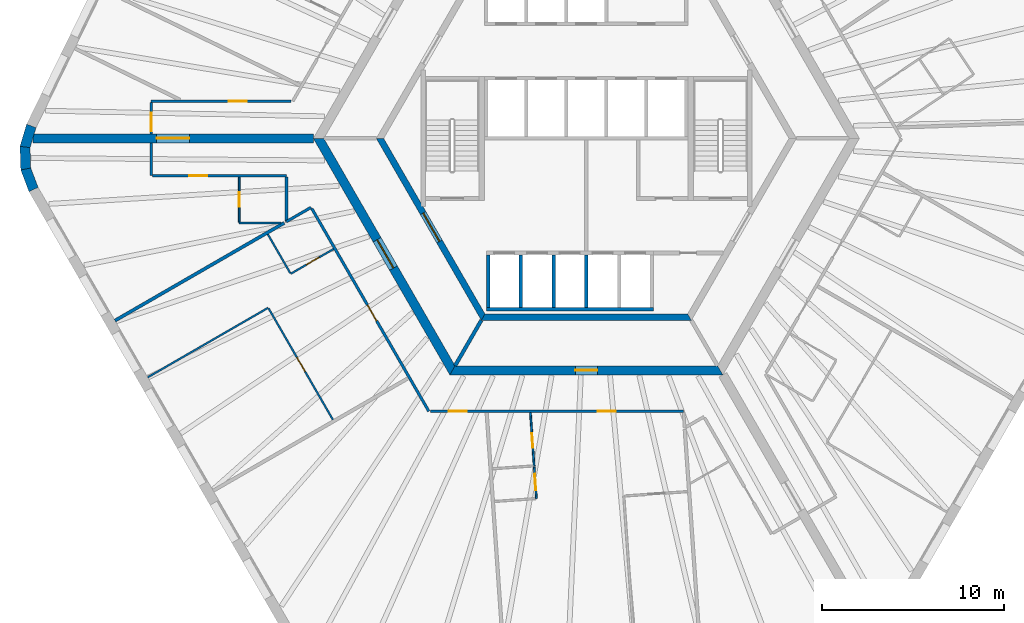
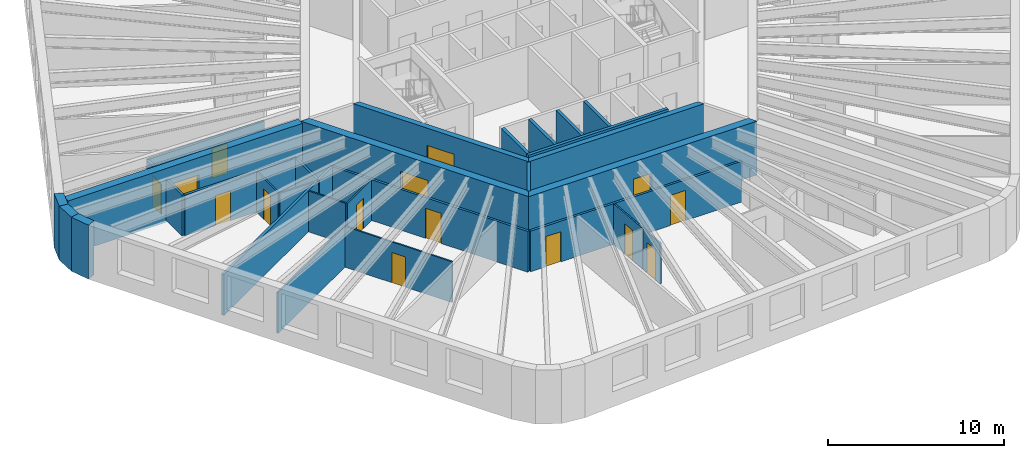
# One storey, part 3 of 10: 31 walls, 15 doors, 15 openings.
"""IFC4 building model written with IfcOpenShell, lengths in metres."""

import ifcopenshell
import ifcopenshell.guid

model = None  # the IFC model being written
_history = None  # IfcOwnerHistory: only IFC2X3 demands one
_inside = {}  # id of a spatial element -> (the spatial element, [elements in it])
_under = {}  # id of a project, library or spatial element -> (it, [spatial elements below it])
_declared = {}  # id of a project -> (the project, [libraries it declares])
_typed = {}  # id of a type object -> (the type object, [elements of that type])
_made_of = {}  # id of a material, layer set ... -> (it, [elements and type objects made of it])


def new_model(schema):
    """Start an empty IFC model of exactly this schema.

    Asked for "IFC4X3", IfcOpenShell would pick the latest addendum, in which some entities
    have other attributes; the version numbers below select the first issue.
    IFC2X3 requires an IfcOwnerHistory on every rooted entity: one is made here for all.
    """
    global model, _history
    if schema == "IFC4X3":
        model = ifcopenshell.file(schema_version=(4, 3, 0, 0))
    else:
        model = ifcopenshell.file(schema=schema)
    _inside.clear()
    _under.clear()
    _declared.clear()
    _typed.clear()
    _made_of.clear()
    _history = None
    if model.schema == "IFC2X3":
        org = make("IfcOrganization", Name="unknown")
        user = make(
            "IfcPersonAndOrganization",
            ThePerson=make("IfcPerson", FamilyName="unknown"),
            TheOrganization=org,
        )
        app = make(
            "IfcApplication",
            ApplicationDeveloper=org,
            Version="unknown",
            ApplicationFullName="unknown",
            ApplicationIdentifier="unknown",
        )
        _history = make(
            "IfcOwnerHistory",
            OwningUser=user,
            OwningApplication=app,
            ChangeAction="ADDED",
            CreationDate=0,
        )
    return model


def make(cls, **values):
    """One entity of the class cls with the attributes given. An attribute that is None is left unset."""
    return model.create_entity(
        cls, **{name: value for name, value in values.items() if value is not None}
    )


def rooted(cls, **values):
    """An entity with a GlobalId (a new one), such as an element, a storey or a relation."""
    return make(cls, GlobalId=ifcopenshell.guid.new(), OwnerHistory=_history, **values)


def si_unit(unit_type, name, prefix=None):
    """IfcSIUnit, for example si_unit("LENGTHUNIT", "METRE", prefix="MILLI")."""
    return make("IfcSIUnit", UnitType=unit_type, Prefix=prefix, Name=name)


def assignment(units):
    """IfcUnitAssignment: the units of a project."""
    return None if units is None else make("IfcUnitAssignment", Units=units)


def point(xyz):
    """IfcCartesianPoint."""
    return None if xyz is None else make("IfcCartesianPoint", Coordinates=xyz)


def direction(xyz):
    """IfcDirection."""
    return None if xyz is None else make("IfcDirection", DirectionRatios=xyz)


def frame(location, z_axis=None, x_axis=None):
    """IfcAxis2Placement3D, a coordinate frame: its origin and axes. An axis left out is left unset."""
    return make(
        "IfcAxis2Placement3D",
        Location=point(location),
        Axis=direction(z_axis),
        RefDirection=direction(x_axis),
    )


def frame_2d(location, x_axis=None):
    """IfcAxis2Placement2D, a coordinate frame in the plane: its origin and x axis."""
    return make(
        "IfcAxis2Placement2D", Location=point(location), RefDirection=direction(x_axis)
    )


def origin():
    """The frame at (0, 0, 0) with its axes left unset."""
    return frame((0.0, 0.0, 0.0))


def place(relative_to, where):
    """IfcLocalPlacement: puts the frame where relative to a parent placement (None: the world)."""
    return make(
        "IfcLocalPlacement", PlacementRelTo=relative_to, RelativePlacement=where
    )


def context(
    kind, dimensions, precision=None, world=None, true_north=None, identifier=None
):
    """IfcGeometricRepresentationContext, for example the 3D "Model" context."""
    return make(
        "IfcGeometricRepresentationContext",
        ContextIdentifier=identifier,
        ContextType=kind,
        CoordinateSpaceDimension=dimensions,
        Precision=precision,
        WorldCoordinateSystem=world,
        TrueNorth=true_north,
    )


def subcontext(parent, identifier, kind, view, scale=None):
    """IfcGeometricRepresentationSubContext, for example "Body" below "Model"."""
    return make(
        "IfcGeometricRepresentationSubContext",
        ContextIdentifier=identifier,
        ContextType=kind,
        ParentContext=parent,
        TargetScale=scale,
        TargetView=view,
    )


def project(units=None, contexts=None):
    """IfcProject with its units and contexts."""
    return rooted(
        "IfcProject",
        Name="project",
        RepresentationContexts=contexts,
        UnitsInContext=assignment(units),
    )


def spatial(cls, under=None, at=None, **own):
    """A site, building, storey or space (cls), placed at a placement, below another one or the project."""
    s = rooted(cls, ObjectPlacement=at, **own)
    if under is not None:
        _under.setdefault(under.id(), (under, []))[1].append(s)
    return s


def polyline(points):
    """IfcPolyline through the points."""
    return make("IfcPolyline", Points=[point(p) for p in points])


def profile(cls, at=None, kind="AREA", **sizes):
    """A parametric profile (cls). Its sizes go by their IFC names, for example OverallWidth=200.0."""
    return make(cls, ProfileType=kind, Position=at, **sizes)


def rectangle(**sizes):
    """IfcRectangleProfileDef."""
    return profile("IfcRectangleProfileDef", **sizes)


def outline(outer, holes=None, kind="AREA"):
    """IfcArbitraryClosedProfileDef: a profile drawn as a closed curve; with holes, ...WithVoids."""
    if holes is None:
        return make("IfcArbitraryClosedProfileDef", ProfileType=kind, OuterCurve=outer)
    return make(
        "IfcArbitraryProfileDefWithVoids",
        ProfileType=kind,
        OuterCurve=outer,
        InnerCurves=holes,
    )


def extrude(swept, where, along, depth):
    """IfcExtrudedAreaSolid: the profile swept, set in the frame where, extruded along a direction by depth."""
    return make(
        "IfcExtrudedAreaSolid",
        SweptArea=swept,
        Position=where,
        ExtrudedDirection=direction(along),
        Depth=depth,
    )


def shape(context_of_items, identifier, shape_type, items):
    """IfcShapeRepresentation: the items that make up one representation, for example the "Body"."""
    return make(
        "IfcShapeRepresentation",
        ContextOfItems=context_of_items,
        RepresentationIdentifier=identifier,
        RepresentationType=shape_type,
        Items=items,
    )


def material(Name=None, Category=None):
    """IfcMaterial."""
    return make("IfcMaterial", Name=Name, Category=Category)


def layer(
    of_material, thickness, ventilated=None, Name=None, Category=None, Priority=None
):
    """IfcMaterialLayer: one layer of a wall or slab, of a material (None: an air gap)."""
    return make(
        "IfcMaterialLayer",
        Material=of_material,
        LayerThickness=thickness,
        IsVentilated=ventilated,
        Name=Name,
        Category=Category,
        Priority=Priority,
    )


def layer_set(layers, Name=None):
    """IfcMaterialLayerSet."""
    return make("IfcMaterialLayerSet", MaterialLayers=layers, LayerSetName=Name)


def made_of(thing, what):
    """Note that an element or type object is made of a material, layer set ...; save() writes the relation."""
    if what is not None:
        _made_of.setdefault(what.id(), (what, []))[1].append(thing)
    return thing


def type_object(cls, material=None, **own):
    """A type object (cls), such as IfcWallType, which elements share."""
    return made_of(rooted(cls, **own), material)


def element(
    cls,
    number,
    at=None,
    inside=None,
    cuts=None,
    type_object=None,
    material=None,
    context=None,
    identifier="Body",
    shape_type=None,
    held_by="IfcProductDefinitionShape",
    body=None,
    shapes=None,
    **own,
):
    """One element of the class cls, such as IfcWall. Its Tag is "e" and its number.

    at: its placement. inside: the storey or other place that contains it. cuts: it is an
    opening in that element (IfcRelVoidsElement). A single representation is given by context,
    identifier, shape_type and body (its items); several are given by shapes. held_by: the class
    of the entity that holds the representations. save() writes the other relations.
    """
    e = rooted(cls, Tag="e%d" % number, ObjectPlacement=at, **own)
    if body is not None:
        shapes = [shape(context, identifier, shape_type, body)]
    if shapes is not None:
        e.Representation = make(held_by, Representations=shapes)
    if inside is not None:
        _inside.setdefault(inside.id(), (inside, []))[1].append(e)
    if cuts is not None:
        rooted(
            "IfcRelVoidsElement", RelatingBuildingElement=cuts, RelatedOpeningElement=e
        )
    if type_object is not None:
        _typed.setdefault(type_object.id(), (type_object, []))[1].append(e)
    return made_of(e, material)


def fill(opening, filler):
    """IfcRelFillsElement: the door or window that sits in an opening."""
    return rooted(
        "IfcRelFillsElement",
        RelatingOpeningElement=opening,
        RelatedBuildingElement=filler,
    )


def aggregate(whole, parts):
    """IfcRelAggregates: a whole, such as a stair, and the parts it consists of."""
    return rooted("IfcRelAggregates", RelatingObject=whole, RelatedObjects=parts)


def save(model, path):
    """Write the relations noted so far, then the file.

    IfcRelAggregates (storeys below a building ...), IfcRelContainedInSpatialStructure (elements
    in a storey), IfcRelDefinesByType, IfcRelAssociatesMaterial and IfcRelDeclares: one each for
    every whole, place, type object, material and project.
    """
    for whole, parts in _under.values():
        aggregate(whole, parts)
    for where, things in _inside.values():
        rooted(
            "IfcRelContainedInSpatialStructure",
            RelatedElements=things,
            RelatingStructure=where,
        )
    for kind, things in _typed.values():
        rooted("IfcRelDefinesByType", RelatedObjects=things, RelatingType=kind)
    for what, things in _made_of.values():
        rooted("IfcRelAssociatesMaterial", RelatedObjects=things, RelatingMaterial=what)
    for by, libraries in _declared.values():
        rooted("IfcRelDeclares", RelatingContext=by, RelatedDefinitions=libraries)
    model.write(path)


model = new_model("IFC4")

# Units and contexts
model_context = context("Model", 3, precision=1e-05, world=origin(), true_north=direction((0.0, 1.0)))
body_context = subcontext(model_context, "Body", "Model", "MODEL_VIEW")
ifc_project = project(units=[si_unit("LENGTHUNIT", "METRE"), si_unit("AREAUNIT", "SQUARE_METRE"), si_unit("VOLUMEUNIT", "CUBIC_METRE"), si_unit("PLANEANGLEUNIT", "RADIAN"), si_unit("MASSUNIT", "GRAM", prefix="KILO")], contexts=[model_context])

# Site, building, storey
site_placement = place(None, origin())
site = spatial("IfcSite", under=ifc_project, at=site_placement, CompositionType="ELEMENT")
building_placement = place(site_placement, origin())
building = spatial("IfcBuilding", under=site, at=building_placement, Name="Tarnside Tower", CompositionType="ELEMENT")
storey_placement = place(building_placement, frame((0.0, 0.0, 246.300048828125)))
storey = spatial("IfcBuildingStorey", under=building, at=storey_placement, Name="L59", CompositionType="ELEMENT", Elevation=246.300048828125)

# Wall
ifc_material_1 = material(Name="Gypsum board partition on steel studs", Category="steel")
ifc_layer_1 = layer(ifc_material_1, 0.10009765625)
ifc_layer_set_1 = layer_set([ifc_layer_1], Name="Bathroom wall 100")
wall_type_1 = type_object("IfcWallType", Name="Bathroom wall 100", PredefinedType="PARTITIONING", material=ifc_layer_set_1)
wall_1_placement = place(storey_placement, frame((-16.79833984375, -4.64990234375, 0.0), z_axis=(0.0, 0.0, 1.0), x_axis=(-1.0, 0.0, 0.0)))
element("IfcWall", 1, at=wall_1_placement, inside=storey, type_object=wall_type_1, Name="Bathroom wall 19075", PredefinedType="PARTITIONING", context=body_context, shape_type="SweptSolid", body=[
    extrude(rectangle(XDim=2.28857421875, YDim=0.10009765625, at=frame_2d((1.144287109375, 0.0))), origin(), (0.0, 0.0, 1.0), 2.837646484375),
])

# Wall, opening, door
wall_2_placement = place(storey_placement, frame((-19.0869140625, -4.60009765625, 0.0), z_axis=(0.0, 0.0, 1.0), x_axis=(0.0, 1.0, 0.0)))
wall_2 = element("IfcWall", 2, at=wall_2_placement, inside=storey, type_object=wall_type_1, Name="Bathroom wall 19076", PredefinedType="PARTITIONING", context=body_context, shape_type="SweptSolid", body=[
    extrude(rectangle(XDim=2.47509765625, YDim=0.10009765625, at=frame_2d((1.237548828125, 0.0))), origin(), (0.0, 0.0, 1.0), 2.837646484375),
])
opening_1_placement = place(wall_2_placement, frame((0.85009765625, 0.0, 0.0)))
opening_1 = element("IfcOpeningElement", 3, at=opening_1_placement, cuts=wall_2, Name="Opening D-B1", PredefinedType="OPENING", context=body_context, shape_type="SweptSolid", body=[
    extrude(rectangle(XDim=0.800048828125, YDim=2.10009765625, at=frame_2d((0.39990234375, 1.050048828125))), frame((0.0, 0.06005859375, 0.0), z_axis=(0.0, -1.0, 0.0), x_axis=(1.0, 0.0, 0.0)), (0.0, 0.0, 1.0), 0.1201171875),
])
ifc_material_2 = material(Name="Timber door leaf", Category="wood")
door_type_1 = type_object("IfcDoorType", Name="Bathroom door 800", OperationType="NOTDEFINED", PredefinedType="DOOR", material=ifc_material_2)
door_1_placement = place(opening_1_placement, origin())
door_1 = element("IfcDoor", 4, at=door_1_placement, inside=storey, type_object=door_type_1, Name="Bathroom door 19015", OperationType="SINGLE_SWING_RIGHT", OverallHeight=2.10009765625, OverallWidth=0.800048828125, PredefinedType="DOOR", context=body_context, shape_type="SweptSolid", body=[
    extrude(rectangle(XDim=0.800048828125, YDim=2.10009765625, at=frame_2d((0.39990234375, 1.050048828125))), frame((0.0, 0.02490234375, 0.0), z_axis=(0.0, -1.0, 0.0), x_axis=(1.0, 0.0, 0.0)), (0.0, 0.0, 1.0), 0.050048828125),
])
fill(opening_1, door_1)

wall_3_placement = place(storey_placement, frame((-13.896484375, -6.080810546875, 0.0), z_axis=(0.0, 0.0, 1.0), x_axis=(-0.866012511928, -0.500022328685, 0.0)))
wall_3 = element("IfcWall", 5, at=wall_3_placement, inside=storey, type_object=wall_type_1, Name="Bathroom wall 19079", PredefinedType="PARTITIONING", context=body_context, shape_type="SweptSolid", body=[
    extrude(rectangle(XDim=2.72509765625, YDim=0.10009765625, at=frame_2d((1.362548828125, 0.0))), origin(), (0.0, 0.0, 1.0), 2.837646484375),
])
opening_2_placement = place(wall_3_placement, frame((0.925048828125, 0.0, 0.0)))
opening_2 = element("IfcOpeningElement", 6, at=opening_2_placement, cuts=wall_3, Name="Opening D-B1", PredefinedType="OPENING", context=body_context, shape_type="SweptSolid", body=[
    extrude(rectangle(XDim=0.800048828125, YDim=2.10009765625, at=frame_2d((0.39990234375, 1.050048828125))), frame((0.0, 0.06005859375, 0.0), z_axis=(0.0, -1.0, 0.0), x_axis=(1.0, 0.0, 0.0)), (0.0, 0.0, 1.0), 0.1201171875),
])
door_2_placement = place(opening_2_placement, origin())
door_2 = element("IfcDoor", 7, at=door_2_placement, inside=storey, type_object=door_type_1, Name="Bathroom door 19017", OperationType="SINGLE_SWING_RIGHT", OverallHeight=2.10009765625, OverallWidth=0.800048828125, PredefinedType="DOOR", context=body_context, shape_type="SweptSolid", body=[
    extrude(rectangle(XDim=0.800048828125, YDim=2.10009765625, at=frame_2d((0.39990234375, 1.050048828125))), frame((0.0, 0.02490234375, 0.0), z_axis=(0.0, -1.0, 0.0), x_axis=(1.0, 0.0, 0.0)), (0.0, 0.0, 1.0), 0.050048828125),
])
fill(opening_2, door_2)

# Wall
wall_4_placement = place(storey_placement, frame((-16.28125, -7.39990234375, 0.0), z_axis=(0.0, 0.0, 1.0), x_axis=(-0.500003092839, 0.866023618125, 0.0)))
element("IfcWall", 8, at=wall_4_placement, inside=storey, type_object=wall_type_1, Name="Bathroom wall 19080", PredefinedType="PARTITIONING", context=body_context, shape_type="SweptSolid", body=[
    extrude(rectangle(XDim=2.4599609375, YDim=0.10009765625, at=frame_2d((1.22998046875, 0.0))), origin(), (0.0, 0.0, 1.0), 2.837646484375),
])

# Wall, opening, door
wall_5_placement = place(storey_placement, frame((-3.073974609375, -15.074951171875, 0.0), z_axis=(0.0, 0.0, 1.0), x_axis=(0.069798496539, -0.99756111085, 0.0)))
wall_5 = element("IfcWall", 9, at=wall_5_placement, inside=storey, type_object=wall_type_1, Name="Bathroom wall 19088", PredefinedType="PARTITIONING", context=body_context, shape_type="SweptSolid", body=[
    extrude(rectangle(XDim=2.9345703125, YDim=0.10009765625, at=frame_2d((1.46728515625, 0.0))), origin(), (0.0, 0.0, 1.0), 2.837646484375),
])
opening_3_placement = place(wall_5_placement, frame((1.134521484375, 0.0, 0.0)))
opening_3 = element("IfcOpeningElement", 10, at=opening_3_placement, cuts=wall_5, Name="Opening D-B1", PredefinedType="OPENING", context=body_context, shape_type="SweptSolid", body=[
    extrude(rectangle(XDim=0.800048828125, YDim=2.10009765625, at=frame_2d((0.39990234375, 1.050048828125))), frame((0.0, 0.06005859375, 0.0), z_axis=(0.0, -1.0, 0.0), x_axis=(1.0, 0.0, 0.0)), (0.0, 0.0, 1.0), 0.1201171875),
])
door_3_placement = place(opening_3_placement, origin())
door_3 = element("IfcDoor", 11, at=door_3_placement, inside=storey, type_object=door_type_1, Name="Bathroom door 19021", OperationType="SINGLE_SWING_LEFT", OverallHeight=2.10009765625, OverallWidth=0.800048828125, PredefinedType="DOOR", context=body_context, shape_type="SweptSolid", body=[
    extrude(rectangle(XDim=0.800048828125, YDim=2.10009765625, at=frame_2d((0.39990234375, 1.050048828125))), frame((0.0, 0.02490234375, 0.0), z_axis=(0.0, -1.0, 0.0), x_axis=(1.0, 0.0, 0.0)), (0.0, 0.0, 1.0), 0.050048828125),
])
fill(opening_3, door_3)

ifc_material_3 = material(Name="Concrete C50/60", Category="concrete")
ifc_layer_2 = layer(ifc_material_3, 0.35009765625)
ifc_layer_set_2 = layer_set([ifc_layer_2], Name="Core block wall 350 C50/60")
wall_type_2 = type_object("IfcWallType", Name="Core block wall 350 C50/60", PredefinedType="SHEAR", material=ifc_layer_set_2)
wall_6_placement = place(storey_placement, frame((-11.344970703125, 0.0, -0.150146484375), z_axis=(0.0, 0.0, 1.0), x_axis=(0.499995046907, -0.866028263435, 0.0)))
wall_6 = element("IfcWall", 12, at=wall_6_placement, inside=storey, type_object=wall_type_2, Name="L59 core block wall face 3", PredefinedType="SHEAR", context=body_context, shape_type="SweptSolid", body=[
    extrude(outline(polyline([(-0.10107421875, -0.175048828125), (11.44580078125, -0.175048828125), (11.24365234375, 0.175048828125), (0.10107421875, 0.175048828125), (-0.10107421875, -0.175048828125)])), origin(), (0.0, 0.0, 1.0), 3.75),
])
opening_4_placement = place(wall_6_placement, frame((4.74365234375, 0.0, 0.14990234375)))
opening_4 = element("IfcOpeningElement", 13, at=opening_4_placement, cuts=wall_6, Name="Opening CD-FFL", PredefinedType="OPENING", context=body_context, shape_type="SweptSolid", body=[
    extrude(rectangle(XDim=1.800048828125, YDim=2.39990234375, at=frame_2d((0.89990234375, 1.199951171875))), frame((0.0, 0.18505859375, 0.0), z_axis=(0.0, -1.0, 0.0), x_axis=(1.0, 0.0, 0.0)), (0.0, 0.0, 1.0), 0.3701171875),
])
ifc_material_4 = material(Name="Steel fire door", Category="steel")
door_type_2 = type_object("IfcDoorType", Name="Firefighting lobby double door FD60S 1800x2400", OperationType="NOTDEFINED", PredefinedType="DOOR", material=ifc_material_4)
door_4_placement = place(opening_4_placement, origin())
door_4 = element("IfcDoor", 14, at=door_4_placement, inside=storey, type_object=door_type_2, Name="L59 lobby block door P3", OperationType="DOUBLE_DOOR_SINGLE_SWING", OverallHeight=2.39990234375, OverallWidth=1.800048828125, PredefinedType="DOOR", context=body_context, shape_type="SweptSolid", body=[
    extrude(rectangle(XDim=1.800048828125, YDim=2.39990234375, at=frame_2d((0.89990234375, 1.199951171875))), frame((0.0, 0.02490234375, 0.0), z_axis=(0.0, -1.0, 0.0), x_axis=(1.0, 0.0, 0.0)), (0.0, 0.0, 1.0), 0.050048828125),
])
fill(opening_4, door_4)

# Wall
wall_7_placement = place(storey_placement, frame((-5.672607421875, -9.824951171875, -0.150146484375), z_axis=(0.0, 0.0, 1.0), x_axis=(1.0, 0.0, 0.0)))
element("IfcWall", 15, at=wall_7_placement, inside=storey, type_object=wall_type_2, Name="L59 core block wall face 4", PredefinedType="SHEAR", context=body_context, shape_type="SweptSolid", body=[
    extrude(outline(polyline([(-0.10107421875, -0.175048828125), (11.4462890625, -0.175048828125), (11.244140625, 0.175048828125), (0.10107421875, 0.175048828125), (-0.10107421875, -0.175048828125)])), origin(), (0.0, 0.0, 1.0), 3.75),
])

# Wall, opening, door
ifc_material_5 = material(Name="Concrete C70/85", Category="concrete")
ifc_layer_3 = layer(ifc_material_5, 0.5)
ifc_layer_set_3 = layer_set([ifc_layer_3], Name="Core wall Z2 500 C70/85")
wall_type_3 = type_object("IfcWallType", Name="Core wall Z2 500 C70/85", PredefinedType="SHEAR", material=ifc_layer_set_3)
wall_8_placement = place(storey_placement, frame((-14.722412109375, 0.0, -0.150146484375), z_axis=(0.0, 0.0, 1.0), x_axis=(0.50000571537, -0.866022103989, 0.0)))
wall_8 = element("IfcWall", 16, at=wall_8_placement, inside=storey, type_object=wall_type_3, Name="L59 core wall face 3", PredefinedType="SHEAR", context=body_context, shape_type="SweptSolid", body=[
    extrude(outline(polyline([(-0.144287109375, -0.25), (14.86669921875, -0.25), (14.578125, 0.25), (0.144287109375, 0.25), (-0.144287109375, -0.25)])), origin(), (0.0, 0.0, 1.0), 3.75),
])
opening_5_placement = place(wall_8_placement, frame((6.432373046875, 0.0, 0.14990234375)))
opening_5 = element("IfcOpeningElement", 17, at=opening_5_placement, cuts=wall_8, Name="Opening CD-FFL", PredefinedType="OPENING", context=body_context, shape_type="SweptSolid", body=[
    extrude(rectangle(XDim=1.800048828125, YDim=2.39990234375, at=frame_2d((0.89990234375, 1.199951171875))), frame((0.0, 0.260009765625, 0.0), z_axis=(0.0, -1.0, 0.0), x_axis=(1.0, 0.0, 0.0)), (0.0, 0.0, 1.0), 0.52001953125),
])
door_5_placement = place(opening_5_placement, origin())
door_5 = element("IfcDoor", 18, at=door_5_placement, inside=storey, type_object=door_type_2, Name="L59 core door P3", OperationType="DOUBLE_DOOR_SINGLE_SWING", OverallHeight=2.39990234375, OverallWidth=1.800048828125, PredefinedType="DOOR", context=body_context, shape_type="SweptSolid", body=[
    extrude(rectangle(XDim=1.800048828125, YDim=2.39990234375, at=frame_2d((0.89990234375, 1.199951171875))), frame((0.0, 0.02490234375, 0.0), z_axis=(0.0, -1.0, 0.0), x_axis=(1.0, 0.0, 0.0)), (0.0, 0.0, 1.0), 0.050048828125),
])
fill(opening_5, door_5)

wall_9_placement = place(storey_placement, frame((-7.361083984375, -12.75, -0.150146484375), z_axis=(0.0, 0.0, 1.0), x_axis=(1.0, 0.0, 0.0)))
wall_9 = element("IfcWall", 19, at=wall_9_placement, inside=storey, type_object=wall_type_3, Name="L59 core wall face 4", PredefinedType="SHEAR", context=body_context, shape_type="SweptSolid", body=[
    extrude(outline(polyline([(-0.144287109375, -0.25), (14.866455078125, -0.25), (14.577880859375, 0.25), (0.144287109375, 0.25), (-0.144287109375, -0.25)])), origin(), (0.0, 0.0, 1.0), 3.75),
])
opening_6_placement = place(wall_9_placement, frame((6.76123046875, 0.0, 0.14990234375)))
opening_6 = element("IfcOpeningElement", 20, at=opening_6_placement, cuts=wall_9, Name="Opening CD-RSR", PredefinedType="OPENING", context=body_context, shape_type="SweptSolid", body=[
    extrude(rectangle(XDim=1.199951171875, YDim=2.39990234375, at=frame_2d((0.60009765625, 1.199951171875))), frame((0.0, 0.260009765625, 0.0), z_axis=(0.0, -1.0, 0.0), x_axis=(1.0, 0.0, 0.0)), (0.0, 0.0, 1.0), 0.52001953125),
])
door_type_3 = type_object("IfcDoorType", Name="Riser door FD60 1200x2400", OperationType="NOTDEFINED", PredefinedType="DOOR", material=ifc_material_4)
door_6_placement = place(opening_6_placement, origin())
door_6 = element("IfcDoor", 21, at=door_6_placement, inside=storey, type_object=door_type_3, Name="L59 core door S6", OperationType="SINGLE_SWING_LEFT", OverallHeight=2.39990234375, OverallWidth=1.199951171875, PredefinedType="DOOR", context=body_context, shape_type="SweptSolid", body=[
    extrude(rectangle(XDim=1.199951171875, YDim=2.39990234375, at=frame_2d((0.60009765625, 1.199951171875))), frame((0.0, 0.02490234375, 0.0), z_axis=(0.0, -1.0, 0.0), x_axis=(1.0, 0.0, 0.0)), (0.0, 0.0, 1.0), 0.050048828125),
])
fill(opening_6, door_6)

wall_10_placement = place(storey_placement, frame((-15.010986328125, 0.0, -0.150146484375), z_axis=(0.0, 0.0, 1.0), x_axis=(-1.0, 0.0, 0.0)))
wall_10 = element("IfcWall", 22, at=wall_10_placement, inside=storey, type_object=wall_type_3, Name="L59 spine wall 2", PredefinedType="SHEAR", context=body_context, shape_type="SweptSolid", body=[
    extrude(rectangle(XDim=15.423828125, YDim=0.5, at=frame_2d((7.7119140625, 0.0))), origin(), (0.0, 0.0, 1.0), 3.75),
])
opening_7_placement = place(wall_10_placement, frame((6.811767578125, 0.0, 0.14990234375)))
opening_7 = element("IfcOpeningElement", 23, at=opening_7_placement, cuts=wall_10, Name="Opening CD-SPN", PredefinedType="OPENING", context=body_context, shape_type="SweptSolid", body=[
    extrude(rectangle(XDim=1.800048828125, YDim=2.39990234375, at=frame_2d((0.89990234375, 1.199951171875))), frame((0.0, 0.260009765625, 0.0), z_axis=(0.0, -1.0, 0.0), x_axis=(1.0, 0.0, 0.0)), (0.0, 0.0, 1.0), 0.52001953125),
])
door_type_4 = type_object("IfcDoorType", Name="Spine passage double door FD60 1800x2400", OperationType="NOTDEFINED", PredefinedType="DOOR", material=ifc_material_4)
door_7_placement = place(opening_7_placement, origin())
door_7 = element("IfcDoor", 24, at=door_7_placement, inside=storey, type_object=door_type_4, Name="L59 spine passage door 2", OperationType="DOUBLE_DOOR_SINGLE_SWING", OverallHeight=2.39990234375, OverallWidth=1.800048828125, PredefinedType="DOOR", context=body_context, shape_type="SweptSolid", body=[
    extrude(rectangle(XDim=1.800048828125, YDim=2.39990234375, at=frame_2d((0.89990234375, 1.199951171875))), frame((0.0, 0.02490234375, 0.0), z_axis=(0.0, -1.0, 0.0), x_axis=(1.0, 0.0, 0.0)), (0.0, 0.0, 1.0), 0.050048828125),
])
fill(opening_7, door_7)

ifc_layer_4 = layer(ifc_material_1, 0.14990234375)
ifc_layer_set_4 = layer_set([ifc_layer_4], Name="Corridor wall 150 EI 60")
wall_type_4 = type_object("IfcWallType", Name="Corridor wall 150 EI 60", PredefinedType="PARTITIONING", material=ifc_layer_set_4)
wall_11_placement = place(storey_placement, frame((-16.2236328125, 2.050048828125, 0.0), z_axis=(0.0, 0.0, 1.0), x_axis=(-1.0, 0.0, 0.0)))
wall_11 = element("IfcWall", 25, at=wall_11_placement, inside=storey, type_object=wall_type_4, Name="Corridor wall 19015", PredefinedType="PARTITIONING", context=body_context, shape_type="SweptSolid", body=[
    extrude(rectangle(XDim=7.69921875, YDim=0.14990234375, at=frame_2d((3.849609375, 0.0))), origin(), (0.0, 0.0, 1.0), 2.837646484375),
])
opening_8_placement = place(wall_11_placement, frame((2.4365234375, 0.0, 0.0)))
opening_8 = element("IfcOpeningElement", 26, at=opening_8_placement, cuts=wall_11, Name="Opening D-E1", PredefinedType="OPENING", context=body_context, shape_type="SweptSolid", body=[
    extrude(rectangle(XDim=1.0, YDim=2.10009765625, at=frame_2d((0.5, 1.050048828125))), frame((0.0, 0.0849609375, 0.0), z_axis=(0.0, -1.0, 0.0), x_axis=(1.0, 0.0, 0.0)), (0.0, 0.0, 1.0), 0.169921875),
])
door_type_5 = type_object("IfcDoorType", Name="Unit entrance door 1000 FD30S", OperationType="NOTDEFINED", PredefinedType="DOOR", material=ifc_material_2)
door_8_placement = place(opening_8_placement, origin())
door_8 = element("IfcDoor", 27, at=door_8_placement, inside=storey, type_object=door_type_5, Name="Unit door 19012", OperationType="SINGLE_SWING_RIGHT", OverallHeight=2.10009765625, OverallWidth=1.0, PredefinedType="DOOR", context=body_context, shape_type="SweptSolid", body=[
    extrude(rectangle(XDim=1.0, YDim=2.10009765625, at=frame_2d((0.5, 1.050048828125))), frame((0.0, 0.02490234375, 0.0), z_axis=(0.0, -1.0, 0.0), x_axis=(1.0, 0.0, 0.0)), (0.0, 0.0, 1.0), 0.050048828125),
])
fill(opening_8, door_8)

wall_12_placement = place(storey_placement, frame((-23.9228515625, 1.97509765625, 0.0), z_axis=(0.0, 0.0, 1.0), x_axis=(0.0, -1.0, 0.0)))
wall_12 = element("IfcWall", 28, at=wall_12_placement, inside=storey, type_object=wall_type_4, Name="Corridor wall 19017", PredefinedType="PARTITIONING", context=body_context, shape_type="SweptSolid", body=[
    extrude(rectangle(XDim=1.72509765625, YDim=0.14990234375, at=frame_2d((0.862548828125, 0.0))), origin(), (0.0, 0.0, 1.0), 2.837646484375),
])
opening_9_placement = place(wall_12_placement, frame((0.574951171875, 0.0, 0.0)))
opening_9 = element("IfcOpeningElement", 29, at=opening_9_placement, cuts=wall_12, Name="Opening D-E1", PredefinedType="OPENING", context=body_context, shape_type="SweptSolid", body=[
    extrude(rectangle(XDim=1.0, YDim=2.10009765625, at=frame_2d((0.5, 1.050048828125))), frame((0.0, 0.0849609375, 0.0), z_axis=(0.0, -1.0, 0.0), x_axis=(1.0, 0.0, 0.0)), (0.0, 0.0, 1.0), 0.169921875),
])
door_9_placement = place(opening_9_placement, origin())
door_9 = element("IfcDoor", 30, at=door_9_placement, inside=storey, type_object=door_type_5, Name="Unit door 19013", OperationType="SINGLE_SWING_LEFT", OverallHeight=2.10009765625, OverallWidth=1.0, PredefinedType="DOOR", context=body_context, shape_type="SweptSolid", body=[
    extrude(rectangle(XDim=1.0, YDim=2.10009765625, at=frame_2d((0.5, 1.050048828125))), frame((0.0, 0.02490234375, 0.0), z_axis=(0.0, -1.0, 0.0), x_axis=(1.0, 0.0, 0.0)), (0.0, 0.0, 1.0), 0.050048828125),
])
fill(opening_9, door_9)

# Wall
wall_13_placement = place(storey_placement, frame((-23.9228515625, -0.25, 0.0), z_axis=(0.0, 0.0, 1.0), x_axis=(0.0, -1.0, 0.0)))
element("IfcWall", 31, at=wall_13_placement, inside=storey, type_object=wall_type_4, Name="Corridor wall 19018", PredefinedType="PARTITIONING", context=body_context, shape_type="SweptSolid", body=[
    extrude(rectangle(XDim=1.800048828125, YDim=0.14990234375, at=frame_2d((0.89990234375, 0.0))), origin(), (0.0, 0.0, 1.0), 2.837646484375),
])

# Wall, opening, door
wall_14_placement = place(storey_placement, frame((-23.847900390625, -2.050048828125, 0.0), z_axis=(0.0, 0.0, 1.0), x_axis=(1.0, 0.0, 0.0)))
wall_14 = element("IfcWall", 32, at=wall_14_placement, inside=storey, type_object=wall_type_4, Name="Corridor wall 19019", PredefinedType="PARTITIONING", context=body_context, shape_type="SweptSolid", body=[
    extrude(rectangle(XDim=7.36083984375, YDim=0.14990234375, at=frame_2d((3.680419921875, 0.0))), origin(), (0.0, 0.0, 1.0), 2.837646484375),
])
opening_10_placement = place(wall_14_placement, frame((2.01806640625, 0.0, 0.0)))
opening_10 = element("IfcOpeningElement", 33, at=opening_10_placement, cuts=wall_14, Name="Opening D-E1", PredefinedType="OPENING", context=body_context, shape_type="SweptSolid", body=[
    extrude(rectangle(XDim=1.0, YDim=2.10009765625, at=frame_2d((0.5, 1.050048828125))), frame((0.0, 0.0849609375, 0.0), z_axis=(0.0, -1.0, 0.0), x_axis=(1.0, 0.0, 0.0)), (0.0, 0.0, 1.0), 0.169921875),
])
door_10_placement = place(opening_10_placement, origin())
door_10 = element("IfcDoor", 34, at=door_10_placement, inside=storey, type_object=door_type_5, Name="Unit door 19014", OperationType="SINGLE_SWING_LEFT", OverallHeight=2.10009765625, OverallWidth=1.0, PredefinedType="DOOR", context=body_context, shape_type="SweptSolid", body=[
    extrude(rectangle(XDim=1.0, YDim=2.10009765625, at=frame_2d((0.5, 1.050048828125))), frame((0.0, 0.02490234375, 0.0), z_axis=(0.0, -1.0, 0.0), x_axis=(1.0, 0.0, 0.0)), (0.0, 0.0, 1.0), 0.050048828125),
])
fill(opening_10, door_10)

# Wall
wall_15_placement = place(storey_placement, frame((-16.487060546875, -2.125, 0.0), z_axis=(0.0, 0.0, 1.0), x_axis=(0.0, -1.0, 0.0)))
element("IfcWall", 35, at=wall_15_placement, inside=storey, type_object=wall_type_4, Name="Corridor wall 19021", PredefinedType="PARTITIONING", context=body_context, shape_type="SweptSolid", body=[
    extrude(rectangle(XDim=2.44921875, YDim=0.14990234375, at=frame_2d((1.224609375, 0.0))), origin(), (0.0, 0.0, 1.0), 2.837646484375),
])

# Wall, opening, door
wall_16_placement = place(storey_placement, frame((-15.093994140625, -3.8564453125, 0.0), z_axis=(0.0, 0.0, 1.0), x_axis=(0.500006037985, -0.866021917724, 0.0)))
wall_16 = element("IfcWall", 36, at=wall_16_placement, inside=storey, type_object=wall_type_4, Name="Corridor wall 19022", PredefinedType="PARTITIONING", context=body_context, shape_type="SweptSolid", body=[
    extrude(rectangle(XDim=12.867431640625, YDim=0.14990234375, at=frame_2d((6.43359375, 0.0))), origin(), (0.0, 0.0, 1.0), 2.837646484375),
])
opening_11_placement = place(wall_16_placement, frame((6.125, 0.0, 0.0)))
opening_11 = element("IfcOpeningElement", 37, at=opening_11_placement, cuts=wall_16, Name="Opening D-E1", PredefinedType="OPENING", context=body_context, shape_type="SweptSolid", body=[
    extrude(rectangle(XDim=1.0, YDim=2.10009765625, at=frame_2d((0.5, 1.050048828125))), frame((0.0, 0.0849609375, 0.0), z_axis=(0.0, -1.0, 0.0), x_axis=(1.0, 0.0, 0.0)), (0.0, 0.0, 1.0), 0.169921875),
])
door_11_placement = place(opening_11_placement, origin())
door_11 = element("IfcDoor", 38, at=door_11_placement, inside=storey, type_object=door_type_5, Name="Unit door 19016", OperationType="SINGLE_SWING_LEFT", OverallHeight=2.10009765625, OverallWidth=1.0, PredefinedType="DOOR", context=body_context, shape_type="SweptSolid", body=[
    extrude(rectangle(XDim=1.0, YDim=2.10009765625, at=frame_2d((0.5, 1.050048828125))), frame((0.0, 0.02490234375, 0.0), z_axis=(0.0, -1.0, 0.0), x_axis=(1.0, 0.0, 0.0)), (0.0, 0.0, 1.0), 0.050048828125),
])
fill(opening_11, door_11)

# Wall
wall_17_placement = place(storey_placement, frame((-16.490234375, -4.576171875, 0.0), z_axis=(0.0, 0.0, 1.0), x_axis=(0.865993845424, 0.5000546567, 0.0)))
element("IfcWall", 39, at=wall_17_placement, inside=storey, type_object=wall_type_4, Name="Corridor wall 19023", PredefinedType="PARTITIONING", context=body_context, shape_type="SweptSolid", body=[
    extrude(rectangle(XDim=1.569091796875, YDim=0.14990234375, at=frame_2d((0.78466796875, 0.0))), origin(), (0.0, 0.0, 1.0), 2.837646484375),
])

# Wall, openings, doors
wall_18_placement = place(storey_placement, frame((-8.57373046875, -15.0, 0.0), z_axis=(0.0, 0.0, 1.0), x_axis=(1.0, 0.0, 0.0)))
wall_18 = element("IfcWall", 40, at=wall_18_placement, inside=storey, type_object=wall_type_4, Name="Corridor wall 19026", PredefinedType="PARTITIONING", context=body_context, shape_type="SweptSolid", body=[
    extrude(rectangle(XDim=13.9150390625, YDim=0.14990234375, at=frame_2d((6.95751953125, 0.0))), origin(), (0.0, 0.0, 1.0), 2.837646484375),
])
opening_12_placement = place(wall_18_placement, frame((1.0009765625, 0.0, 0.0)))
opening_12 = element("IfcOpeningElement", 41, at=opening_12_placement, cuts=wall_18, Name="Opening D-E1", PredefinedType="OPENING", context=body_context, shape_type="SweptSolid", body=[
    extrude(rectangle(XDim=1.0, YDim=2.10009765625, at=frame_2d((0.5, 1.050048828125))), frame((0.0, 0.0849609375, 0.0), z_axis=(0.0, -1.0, 0.0), x_axis=(1.0, 0.0, 0.0)), (0.0, 0.0, 1.0), 0.169921875),
])
opening_13_placement = place(wall_18_placement, frame((9.198974609375, 0.0, 0.0)))
opening_13 = element("IfcOpeningElement", 42, at=opening_13_placement, cuts=wall_18, Name="Opening D-E1", PredefinedType="OPENING", context=body_context, shape_type="SweptSolid", body=[
    extrude(rectangle(XDim=1.0, YDim=2.10009765625, at=frame_2d((0.5, 1.050048828125))), frame((0.0, 0.0849609375, 0.0), z_axis=(0.0, -1.0, 0.0), x_axis=(1.0, 0.0, 0.0)), (0.0, 0.0, 1.0), 0.169921875),
])
door_12_placement = place(opening_12_placement, origin())
door_12 = element("IfcDoor", 43, at=door_12_placement, inside=storey, type_object=door_type_5, Name="Unit door 19019", OperationType="SINGLE_SWING_RIGHT", OverallHeight=2.10009765625, OverallWidth=1.0, PredefinedType="DOOR", context=body_context, shape_type="SweptSolid", body=[
    extrude(rectangle(XDim=1.0, YDim=2.10009765625, at=frame_2d((0.5, 1.050048828125))), frame((0.0, 0.02490234375, 0.0), z_axis=(0.0, -1.0, 0.0), x_axis=(1.0, 0.0, 0.0)), (0.0, 0.0, 1.0), 0.050048828125),
])
fill(opening_12, door_12)
door_13_placement = place(opening_13_placement, origin())
door_13 = element("IfcDoor", 44, at=door_13_placement, inside=storey, type_object=door_type_5, Name="Unit door 19020", OperationType="SINGLE_SWING_RIGHT", OverallHeight=2.10009765625, OverallWidth=1.0, PredefinedType="DOOR", context=body_context, shape_type="SweptSolid", body=[
    extrude(rectangle(XDim=1.0, YDim=2.10009765625, at=frame_2d((0.5, 1.050048828125))), frame((0.0, 0.02490234375, 0.0), z_axis=(0.0, -1.0, 0.0), x_axis=(1.0, 0.0, 0.0)), (0.0, 0.0, 1.0), 0.050048828125),
])
fill(opening_13, door_13)

# Walls
ifc_layer_5 = layer(ifc_material_1, 0.179931640625)
ifc_layer_set_5 = layer_set([ifc_layer_5], Name="Demising wall 180 EI 60")
wall_type_5 = type_object("IfcWallType", Name="Demising wall 180 EI 60", PredefinedType="PARTITIONING", material=ifc_layer_set_5)
wall_19_placement = place(storey_placement, frame((-25.91357421875, -10.0166015625, 0.0), z_axis=(0.0, 0.0, 1.0), x_axis=(0.86602614826, 0.499998710529, 0.0)))
element("IfcWall", 45, at=wall_19_placement, inside=storey, type_object=wall_type_5, Name="Demising wall 19077", PredefinedType="PARTITIONING", context=body_context, shape_type="SweptSolid", body=[
    extrude(rectangle(XDim=10.7353515625, YDim=0.179931640625, at=frame_2d((5.36767578125, 0.0))), origin(), (0.0, 0.0, 1.0), 2.837646484375),
])
ifc_material_6 = material(Name="Concrete C40/50", Category="concrete")
ifc_layer_6 = layer(ifc_material_6, 0.199951171875)
ifc_layer_set_6 = layer_set([ifc_layer_6], Name="Lift shaft wall 200 C40/50")
wall_type_6 = type_object("IfcWallType", Name="Lift shaft wall 200 C40/50", PredefinedType="SHEAR", material=ifc_layer_set_6)
wall_20_placement = place(storey_placement, frame((-5.5, -9.39990234375, -0.25), z_axis=(0.0, 0.0, 1.0), x_axis=(1.0, 0.0, 0.0)))
element("IfcWall", 46, at=wall_20_placement, inside=storey, type_object=wall_type_6, Name="L59 lift shaft back wall R4", PredefinedType="SHEAR", context=body_context, shape_type="SweptSolid", body=[
    extrude(rectangle(XDim=9.199951171875, YDim=0.199951171875, at=frame_2d((4.60009765625, 0.0))), origin(), (0.0, 0.0, 1.0), 3.89990234375),
])
for number, where, z_axis, x_axis, name in (
    (47, (-5.39990234375, -9.300048828125, -0.25), (0.0, 0.0, 1.0), (0.0, 1.0, 0.0), "L59 lift shaft partition R41"),
    (48, (-3.60009765625, -9.300048828125, -0.25), (0.0, 0.0, 1.0), (0.0, 1.0, 0.0), "L59 lift shaft partition R42"),
    (49, (-1.800048828125, -9.300048828125, -0.25), (0.0, 0.0, 1.0), (0.0, 1.0, 0.0), "L59 lift shaft partition R43"),
    (50, (0.0, -9.300048828125, -0.25), (0.0, 0.0, 1.0), (0.0, 1.0, 0.0), "L59 lift shaft partition R44"),
):
    element("IfcWall", number, at=place(storey_placement, frame(where, z_axis=z_axis, x_axis=x_axis)), inside=storey, type_object=wall_type_6, Name=name, PredefinedType="SHEAR", context=body_context, shape_type="SweptSolid", body=[
        extrude(rectangle(XDim=2.900146484375, YDim=0.199951171875, at=frame_2d((1.4501953125, 0.0))), origin(), (0.0, 0.0, 1.0), 3.89990234375),
    ])
wall_21_placement = place(storey_placement, frame((-5.7734375, -10.0, -0.150146484375), z_axis=(0.0, 0.0, 1.0), x_axis=(-0.499995765644, -0.866027848477, 0.0)))
element("IfcWall", 51, at=wall_21_placement, inside=storey, type_object=wall_type_6, Name="L59 core partition AR240", PredefinedType="SHEAR", context=body_context, shape_type="SweptSolid", body=[
    extrude(rectangle(XDim=2.88671875, YDim=0.199951171875, at=frame_2d((1.443359375, 0.0))), origin(), (0.0, 0.0, 1.0), 3.75),
])
ifc_layer_7 = layer(ifc_material_1, 0.10009765625)
ifc_layer_set_7 = layer_set([ifc_layer_7], Name="Partition 100")
wall_type_7 = type_object("IfcWallType", Name="Partition 100", PredefinedType="PARTITIONING", material=ifc_layer_set_7)
wall_22_placement = place(storey_placement, frame((-24.113525390625, -13.13427734375, 0.0), z_axis=(0.0, 0.0, 1.0), x_axis=(0.866033062874, 0.499986733834, 0.0)))
element("IfcWall", 52, at=wall_22_placement, inside=storey, type_object=wall_type_7, Name="Partition wall 19081", PredefinedType="PARTITIONING", context=body_context, shape_type="SweptSolid", body=[
    extrude(rectangle(XDim=7.650146484375, YDim=0.10009765625, at=frame_2d((3.8251953125, 0.0))), origin(), (0.0, 0.0, 1.0), 2.837646484375),
])

# Wall, opening, door
wall_23_placement = place(storey_placement, frame((-17.46337890625, -9.3525390625, 0.0), z_axis=(0.0, 0.0, 1.0), x_axis=(0.499995846692, -0.866027801685, 0.0)))
wall_23 = element("IfcWall", 53, at=wall_23_placement, inside=storey, type_object=wall_type_7, Name="Partition wall 19082", PredefinedType="PARTITIONING", context=body_context, shape_type="SweptSolid", body=[
    extrude(rectangle(XDim=7.06005859375, YDim=0.10009765625, at=frame_2d((3.530029296875, 0.0))), origin(), (0.0, 0.0, 1.0), 2.837646484375),
])
opening_14_placement = place(wall_23_placement, frame((3.10009765625, 0.0, 0.0)))
opening_14 = element("IfcOpeningElement", 54, at=opening_14_placement, cuts=wall_23, Name="Opening D-I1", PredefinedType="OPENING", context=body_context, shape_type="SweptSolid", body=[
    extrude(rectangle(XDim=0.89990234375, YDim=2.10009765625, at=frame_2d((0.449951171875, 1.050048828125))), frame((0.0, 0.06005859375, 0.0), z_axis=(0.0, -1.0, 0.0), x_axis=(1.0, 0.0, 0.0)), (0.0, 0.0, 1.0), 0.1201171875),
])
door_type_6 = type_object("IfcDoorType", Name="Internal door 900", OperationType="NOTDEFINED", PredefinedType="DOOR", material=ifc_material_2)
door_14_placement = place(opening_14_placement, origin())
door_14 = element("IfcDoor", 55, at=door_14_placement, inside=storey, type_object=door_type_6, Name="Internal door 19018", OperationType="SINGLE_SWING_RIGHT", OverallHeight=2.10009765625, OverallWidth=0.89990234375, PredefinedType="DOOR", context=body_context, shape_type="SweptSolid", body=[
    extrude(rectangle(XDim=0.89990234375, YDim=2.10009765625, at=frame_2d((0.449951171875, 1.050048828125))), frame((0.0, 0.02490234375, 0.0), z_axis=(0.0, -1.0, 0.0), x_axis=(1.0, 0.0, 0.0)), (0.0, 0.0, 1.0), 0.050048828125),
])
fill(opening_14, door_14)

wall_24_placement = place(storey_placement, frame((-2.86572265625, -18.05224609375, 0.0), z_axis=(0.0, 0.0, 1.0), x_axis=(0.069750000204, -0.997564502913, 0.0)))
wall_24 = element("IfcWall", 56, at=wall_24_placement, inside=storey, type_object=wall_type_7, Name="Partition wall 19089", PredefinedType="PARTITIONING", context=body_context, shape_type="SweptSolid", body=[
    extrude(rectangle(XDim=1.75, YDim=0.10009765625, at=frame_2d((0.875, 0.0))), origin(), (0.0, 0.0, 1.0), 2.837646484375),
])
opening_15_placement = place(wall_24_placement, frame((0.39990234375, 0.0, 0.0)))
opening_15 = element("IfcOpeningElement", 57, at=opening_15_placement, cuts=wall_24, Name="Opening D-I1", PredefinedType="OPENING", context=body_context, shape_type="SweptSolid", body=[
    extrude(rectangle(XDim=0.89990234375, YDim=2.10009765625, at=frame_2d((0.449951171875, 1.050048828125))), frame((0.0, 0.06005859375, 0.0), z_axis=(0.0, -1.0, 0.0), x_axis=(1.0, 0.0, 0.0)), (0.0, 0.0, 1.0), 0.1201171875),
])
door_15_placement = place(opening_15_placement, origin())
door_15 = element("IfcDoor", 58, at=door_15_placement, inside=storey, type_object=door_type_6, Name="Internal door 19022", OperationType="SINGLE_SWING_RIGHT", OverallHeight=2.10009765625, OverallWidth=0.89990234375, PredefinedType="DOOR", context=body_context, shape_type="SweptSolid", body=[
    extrude(rectangle(XDim=0.89990234375, YDim=2.10009765625, at=frame_2d((0.449951171875, 1.050048828125))), frame((0.0, 0.02490234375, 0.0), z_axis=(0.0, -1.0, 0.0), x_axis=(1.0, 0.0, 0.0)), (0.0, 0.0, 1.0), 0.050048828125),
])
fill(opening_15, door_15)

# Walls
ifc_material_7 = material(Name="Facing brick", Category="masonry")
ifc_layer_8 = layer(ifc_material_7, 0.10205078125)
ifc_material_8 = material(Name="Concrete C60/75 precast", Category="concrete")
ifc_layer_9 = layer(ifc_material_8, 0.347900390625)
ifc_material_9 = material(Name="Mineral wool insulation")
ifc_layer_10 = layer(ifc_material_9, 0.10009765625)
ifc_layer_set_8 = layer_set([ifc_layer_8, ifc_layer_9, ifc_layer_10], Name="Tube wall 550 brick faced")
wall_type_8 = type_object("IfcWallType", Name="Tube wall 550 brick faced", PredefinedType="SOLIDWALL", material=ifc_layer_set_8)
wall_25_placement = place(storey_placement, frame((-30.51318359375, 0.684326171875, -0.150146484375), z_axis=(0.0, 0.0, 1.0), x_axis=(-0.286736058109, -0.958009620505, 0.0)))
element("IfcWall", 59, at=wall_25_placement, inside=storey, type_object=wall_type_8, Name="Tube wall L59 F2 chord 05", PredefinedType="SOLIDWALL", context=body_context, shape_type="SweptSolid", body=[
    extrude(outline(polyline([(-0.0224609375, -0.27490234375), (1.25341796875, -0.27490234375), (1.1630859375, 0.27490234375), (0.0224609375, 0.27490234375), (-0.0224609375, -0.27490234375)])), origin(), (0.0, 0.0, 1.0), 3.75),
])
wall_26_placement = place(storey_placement, frame((-30.859619140625, -0.47314453125, -0.150146484375), z_axis=(0.0, 0.0, 1.0), x_axis=(0.03495638276, -0.999388838893, 0.0)))
element("IfcWall", 60, at=wall_26_placement, inside=storey, type_object=wall_type_8, Name="Tube wall L59 F2 chord 06", PredefinedType="SOLIDWALL", context=body_context, shape_type="SweptSolid", body=[
    extrude(outline(polyline([(-0.045166015625, -0.27490234375), (1.25341796875, -0.27490234375), (1.1630859375, 0.27490234375), (0.045166015625, 0.27490234375), (-0.045166015625, -0.27490234375)])), origin(), (0.0, 0.0, 1.0), 3.75),
])
wall_27_placement = place(storey_placement, frame((-30.8173828125, -1.6806640625, -0.150146484375), z_axis=(0.0, 0.0, 1.0), x_axis=(0.352850303963, -0.935679786569, 0.0)))
element("IfcWall", 61, at=wall_27_placement, inside=storey, type_object=wall_type_8, Name="Tube wall L59 F2 chord 07", PredefinedType="SOLIDWALL", context=body_context, shape_type="SweptSolid", body=[
    extrude(outline(polyline([(-0.045166015625, -0.27490234375), (1.23046875, -0.27490234375), (1.185546875, 0.27490234375), (0.045166015625, 0.27490234375), (-0.045166015625, -0.27490234375)])), origin(), (0.0, 0.0, 1.0), 3.75),
])

save(model, "model.ifc")
